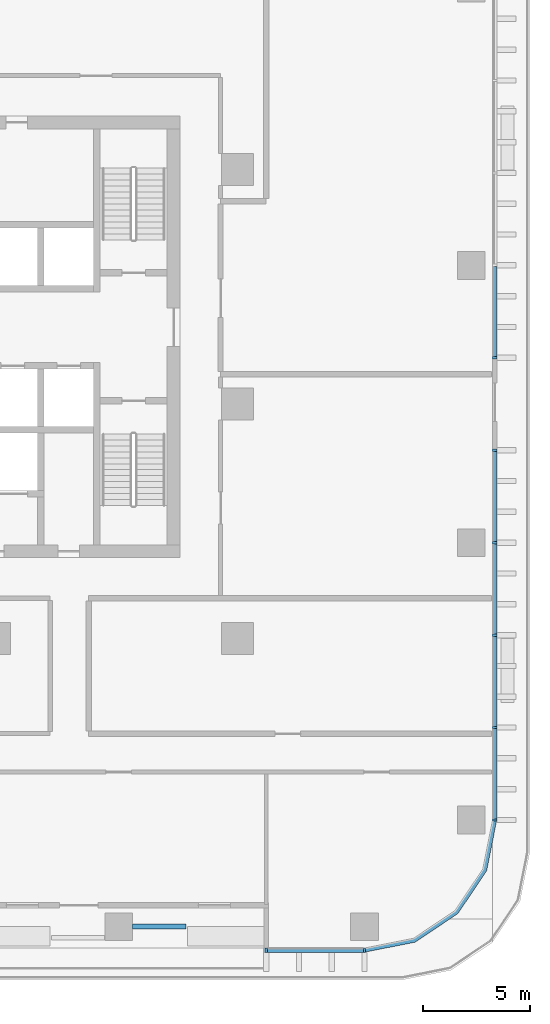
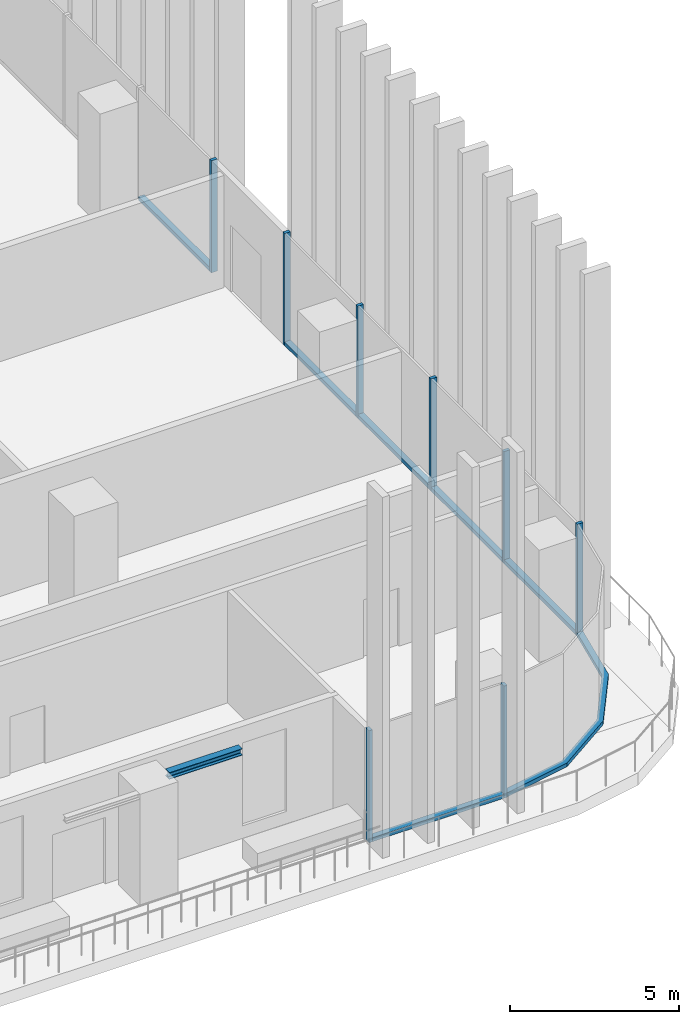
# One storey, part 3 of 18: 15 members, 1 beam, 4 elements without a shape of their own.
"""IFC4 building model written with IfcOpenShell, lengths in metres."""

from ifc_helpers import new_model, si_unit, direction, frame, origin, origin_2d, place, context, subcontext, project, spatial, polyline, rectangle, i_section, outline, extrude, material, material_profile, profile_set, type_object, element, aggregate, save


model = new_model("IFC4")

# Units and contexts
model_context = context("Model", 3, precision=1e-05, world=origin(), true_north=direction((0.0, 1.0)))
body_context = subcontext(model_context, "Body", "Model", "MODEL_VIEW")
ifc_project = project(units=[si_unit("LENGTHUNIT", "METRE"), si_unit("AREAUNIT", "SQUARE_METRE"), si_unit("VOLUMEUNIT", "CUBIC_METRE"), si_unit("PLANEANGLEUNIT", "RADIAN"), si_unit("MASSUNIT", "GRAM", prefix="KILO")], contexts=[model_context])

# Site, building, storey
site_placement = place(None, origin())
site = spatial("IfcSite", under=ifc_project, at=site_placement, CompositionType="ELEMENT")
building_placement = place(site_placement, origin())
building = spatial("IfcBuilding", under=site, at=building_placement, Name="Mopane Tessera Tower", CompositionType="ELEMENT")
storey_placement = place(building_placement, frame((0.0, 0.0, 94.60009765625)))
storey = spatial("IfcBuildingStorey", under=building, at=storey_placement, Name="L18", CompositionType="ELEMENT", Elevation=94.60009765625)

# Curtain wall, members
ifc_material_1 = material(Name="Aluminium frame", Category="aluminium")
curtain_wall_type = type_object("IfcCurtainWallType", Name="Lower tower unitised wall", PredefinedType="NOTDEFINED", material=ifc_material_1)
curtain_wall_1_placement = place(storey_placement, origin())
curtain_wall_1 = element("IfcCurtainWall", 1, at=curtain_wall_1_placement, inside=storey, type_object=curtain_wall_type, Name="e:cw:L18:S:9", PredefinedType="NOTDEFINED")
ifc_material_2 = material(Name="Aluminium frame", Category="aluminium")
ifc_material_profile_1 = material_profile(ifc_material_2, rectangle(XDim=0.110107421875, YDim=0.199951171875, at=origin_2d()))
ifc_profile_set_1 = profile_set([ifc_material_profile_1], Name="Aluminium frame")
member_type_1 = type_object("IfcMemberType", Name="Aluminium mullion 110 x 200", PredefinedType="MULLION", material=ifc_profile_set_1)
member_1_placement = place(storey_placement, frame((18.43994140625, -25.60009765625, 0.0), z_axis=(0.0, 0.0, 1.0), x_axis=(1.0, 0.0, 0.0)))
member_1 = element("IfcMember", 2, at=member_1_placement, type_object=member_type_1, Name="e:cw:L18:S:9:mu9", PredefinedType="MULLION", context=body_context, shape_type="SweptSolid", body=[
    extrude(rectangle(XDim=0.110107421875, YDim=0.199951171875, at=origin_2d()), origin(), (0.0, 0.0, 1.0), 4.0498046875),
])
member_2_placement = place(storey_placement, frame((23.050048828125, -25.60009765625, 0.0), z_axis=(0.0, 0.0, 1.0), x_axis=(1.0, 0.0, 0.0)))
member_2 = element("IfcMember", 3, at=member_2_placement, type_object=member_type_1, Name="e:cw:L18:S:9:mu10", PredefinedType="MULLION", context=body_context, shape_type="SweptSolid", body=[
    extrude(rectangle(XDim=0.110107421875, YDim=0.199951171875, at=origin_2d()), origin(), (0.0, 0.0, 1.0), 4.0498046875),
])

curtain_wall_2_placement = place(storey_placement, origin())
curtain_wall_2 = element("IfcCurtainWall", 4, at=curtain_wall_2_placement, inside=storey, type_object=curtain_wall_type, Name="e:cw:L18:E:0", PredefinedType="NOTDEFINED")
member_3_placement = place(storey_placement, frame((29.14990234375, -19.5, 0.0), z_axis=(0.0, 0.0, 1.0), x_axis=(0.0, 1.0, 0.0)))
member_3 = element("IfcMember", 5, at=member_3_placement, type_object=member_type_1, Name="e:cw:L18:E:0:mu0", PredefinedType="MULLION", context=body_context, shape_type="SweptSolid", body=[
    extrude(rectangle(XDim=0.110107421875, YDim=0.199951171875, at=origin_2d()), origin(), (0.0, 0.0, 1.0), 4.0498046875),
])
member_4_placement = place(storey_placement, frame((29.14990234375, -15.166748046875, 0.0), z_axis=(0.0, 0.0, 1.0), x_axis=(0.0, 1.0, 0.0)))
member_4 = element("IfcMember", 6, at=member_4_placement, type_object=member_type_1, Name="e:cw:L18:E:0:mu1", PredefinedType="MULLION", context=body_context, shape_type="SweptSolid", body=[
    extrude(rectangle(XDim=0.110107421875, YDim=0.199951171875, at=origin_2d()), origin(), (0.0, 0.0, 1.0), 4.0498046875),
])
member_5_placement = place(storey_placement, frame((29.14990234375, -10.833251953125, 0.0), z_axis=(0.0, 0.0, 1.0), x_axis=(0.0, 1.0, 0.0)))
member_5 = element("IfcMember", 7, at=member_5_placement, type_object=member_type_1, Name="e:cw:L18:E:0:mu2", PredefinedType="MULLION", context=body_context, shape_type="SweptSolid", body=[
    extrude(rectangle(XDim=0.110107421875, YDim=0.199951171875, at=origin_2d()), origin(), (0.0, 0.0, 1.0), 4.0498046875),
])
member_6_placement = place(storey_placement, frame((29.14990234375, -6.5, 0.0), z_axis=(0.0, 0.0, 1.0), x_axis=(0.0, 1.0, 0.0)))
member_6 = element("IfcMember", 8, at=member_6_placement, type_object=member_type_1, Name="e:cw:L18:E:0:mu3", PredefinedType="MULLION", context=body_context, shape_type="SweptSolid", body=[
    extrude(rectangle(XDim=0.110107421875, YDim=0.199951171875, at=origin_2d()), origin(), (0.0, 0.0, 1.0), 4.0498046875),
])
member_7_placement = place(storey_placement, frame((29.14990234375, -2.166748046875, 0.0), z_axis=(0.0, 0.0, 1.0), x_axis=(0.0, 1.0, 0.0)))
member_7 = element("IfcMember", 9, at=member_7_placement, type_object=member_type_1, Name="e:cw:L18:E:0:mu4", PredefinedType="MULLION", context=body_context, shape_type="SweptSolid", body=[
    extrude(rectangle(XDim=0.110107421875, YDim=0.199951171875, at=origin_2d()), origin(), (0.0, 0.0, 1.0), 4.0498046875),
])

# Curtain wall, member
curtain_wall_3_placement = place(storey_placement, origin())
curtain_wall_3 = element("IfcCurtainWall", 10, at=curtain_wall_3_placement, inside=storey, type_object=curtain_wall_type, Name="e:cw:L18:E:5", PredefinedType="NOTDEFINED")
member_8_placement = place(storey_placement, frame((29.14990234375, 2.166748046875, 0.0), z_axis=(0.0, 0.0, 1.0), x_axis=(0.0, 1.0, 0.0)))
member_8 = element("IfcMember", 11, at=member_8_placement, type_object=member_type_1, Name="e:cw:L18:E:5:mu5", PredefinedType="MULLION", context=body_context, shape_type="SweptSolid", body=[
    extrude(rectangle(XDim=0.110107421875, YDim=0.199951171875, at=origin_2d()), origin(), (0.0, 0.0, 1.0), 4.0498046875),
])

# Member
ifc_material_3 = material(Name="Aluminium frame", Category="aluminium")
ifc_material_profile_2 = material_profile(ifc_material_3, rectangle(XDim=0.199951171875, YDim=0.139892578125, at=origin_2d()))
ifc_profile_set_2 = profile_set([ifc_material_profile_2], Name="Aluminium frame")
member_type_2 = type_object("IfcMemberType", Name="Aluminium transom 200 x 140", PredefinedType="USERDEFINED", material=ifc_profile_set_2)
member_9_placement = place(storey_placement, frame((18.4951171875, -25.60009765625, 0.06982421875), z_axis=(1.0, 0.0, 0.0), x_axis=(0.0, 1.0, 0.0)))
member_9 = element("IfcMember", 12, at=member_9_placement, type_object=member_type_2, Name="e:cw:L18:S:9:tr9", ObjectType="TRANSOM", PredefinedType="USERDEFINED", context=body_context, shape_type="SweptSolid", body=[
    extrude(rectangle(XDim=0.199951171875, YDim=0.139892578125, at=origin_2d()), origin(), (0.0, 0.0, 1.0), 4.5),
])

aggregate(curtain_wall_1, [member_1, member_2, member_9])

# Curtain wall, member
curtain_wall_4_placement = place(storey_placement, origin())
curtain_wall_4 = element("IfcCurtainWall", 13, at=curtain_wall_4_placement, inside=storey, type_object=curtain_wall_type, Name="e:cw:L18:CS", PredefinedType="NOTDEFINED")
member_10_placement = place(storey_placement, origin())
member_10 = element("IfcMember", 14, at=member_10_placement, type_object=member_type_2, Name="e:cw:L18:CS:tr", ObjectType="TRANSOM", PredefinedType="USERDEFINED", context=body_context, shape_type="SweptSolid", body=[
    extrude(outline(polyline([(23.050048828125, -25.5), (25.34619140625, -25.043212890625), (27.292724609375, -23.74267578125), (28.59326171875, -21.796142578125), (29.050048828125, -19.5), (29.25, -19.5), (28.778076171875, -21.87255859375), (27.43408203125, -23.884033203125), (25.422607421875, -25.22802734375), (23.050048828125, -25.699951171875), (23.050048828125, -25.5)])), origin(), (0.0, 0.0, 1.0), 0.139892578125),
])
aggregate(curtain_wall_4, [member_10])

# Member
member_11_placement = place(storey_placement, frame((29.14990234375, -19.445068359375, 0.06982421875), z_axis=(0.0, 1.0, 0.0), x_axis=(-1.0, 0.0, 0.0)))
member_11 = element("IfcMember", 15, at=member_11_placement, type_object=member_type_2, Name="e:cw:L18:E:0:tr0", ObjectType="TRANSOM", PredefinedType="USERDEFINED", context=body_context, shape_type="SweptSolid", body=[
    extrude(rectangle(XDim=0.199951171875, YDim=0.139892578125, at=origin_2d()), origin(), (0.0, 0.0, 1.0), 4.223388671875),
])

member_12_placement = place(storey_placement, frame((29.14990234375, -15.111572265625, 0.06982421875), z_axis=(0.0, 1.0, 0.0), x_axis=(-1.0, 0.0, 0.0)))
member_12 = element("IfcMember", 16, at=member_12_placement, type_object=member_type_2, Name="e:cw:L18:E:0:tr1", ObjectType="TRANSOM", PredefinedType="USERDEFINED", context=body_context, shape_type="SweptSolid", body=[
    extrude(rectangle(XDim=0.199951171875, YDim=0.139892578125, at=origin_2d()), origin(), (0.0, 0.0, 1.0), 4.22314453125),
])

member_13_placement = place(storey_placement, frame((29.14990234375, -10.7783203125, 0.06982421875), z_axis=(0.0, 1.0, 0.0), x_axis=(-1.0, 0.0, 0.0)))
member_13 = element("IfcMember", 17, at=member_13_placement, type_object=member_type_2, Name="e:cw:L18:E:0:tr2", ObjectType="TRANSOM", PredefinedType="USERDEFINED", context=body_context, shape_type="SweptSolid", body=[
    extrude(rectangle(XDim=0.199951171875, YDim=0.139892578125, at=origin_2d()), origin(), (0.0, 0.0, 1.0), 4.223388671875),
])

member_14_placement = place(storey_placement, frame((29.14990234375, -6.445068359375, 0.06982421875), z_axis=(0.0, 1.0, 0.0), x_axis=(-1.0, 0.0, 0.0)))
member_14 = element("IfcMember", 18, at=member_14_placement, type_object=member_type_2, Name="e:cw:L18:E:0:tr3", ObjectType="TRANSOM", PredefinedType="USERDEFINED", context=body_context, shape_type="SweptSolid", body=[
    extrude(rectangle(XDim=0.199951171875, YDim=0.139892578125, at=origin_2d()), origin(), (0.0, 0.0, 1.0), 4.223388671875),
])

aggregate(curtain_wall_2, [member_3, member_4, member_5, member_6, member_7, member_11, member_12, member_13, member_14])

member_15_placement = place(storey_placement, frame((29.14990234375, 2.2216796875, 0.06982421875), z_axis=(0.0, 1.0, 0.0), x_axis=(-1.0, 0.0, 0.0)))
member_15 = element("IfcMember", 19, at=member_15_placement, type_object=member_type_2, Name="e:cw:L18:E:5:tr5", ObjectType="TRANSOM", PredefinedType="USERDEFINED", context=body_context, shape_type="SweptSolid", body=[
    extrude(rectangle(XDim=0.199951171875, YDim=0.139892578125, at=origin_2d()), origin(), (0.0, 0.0, 1.0), 4.223388671875),
])

aggregate(curtain_wall_3, [member_8, member_15])

# Beam
ifc_material_4 = material(Name="Structural steel S460", Category="steel")
ifc_material_profile_3 = material_profile(ifc_material_4, i_section(OverallWidth=0.239990234375, OverallDepth=0.239990234375, WebThickness=0.010009765625, FlangeThickness=0.01708984375, FilletRadius=0.02099609375, at=origin_2d()))
ifc_profile_set_3 = profile_set([ifc_material_profile_3], Name="Structural steel S460")
beam_type = type_object("IfcBeamType", Name="Terrace spandrel beam HE 240 B", PredefinedType="SPANDREL", material=ifc_profile_set_3)
beam_placement = place(storey_placement, frame((12.177978515625, -24.5, 3.929931640625), z_axis=(1.0, 0.0, 0.0), x_axis=(0.0, 1.0, 0.0)))
element("IfcBeam", 20, at=beam_placement, inside=storey, type_object=beam_type, Name="Terrace spandrel beam N3 L19", PredefinedType="SPANDREL", context=body_context, shape_type="SweptSolid", body=[
    extrude(i_section(OverallWidth=0.239990234375, OverallDepth=0.239990234375, WebThickness=0.010009765625, FlangeThickness=0.01708984375, FilletRadius=0.02099609375, at=origin_2d()), origin(), (0.0, 0.0, 1.0), 2.5),
])

save(model, "model.ifc")
